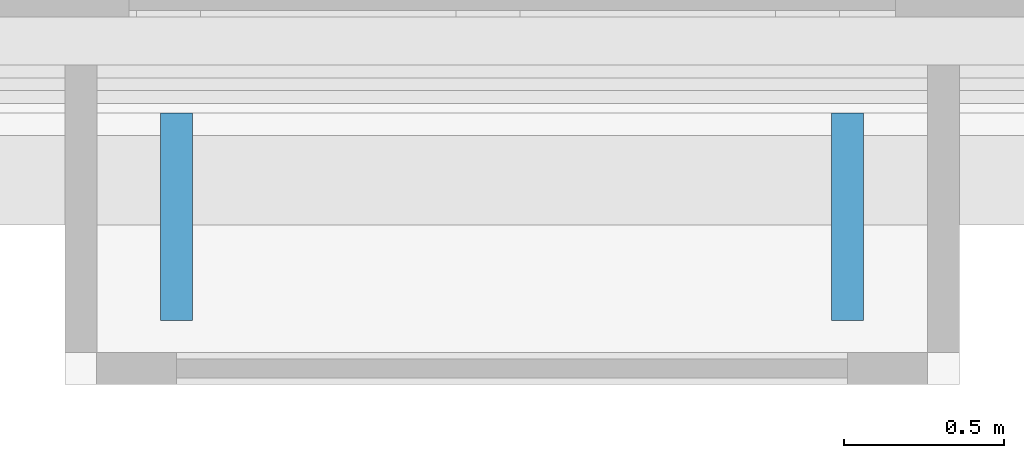
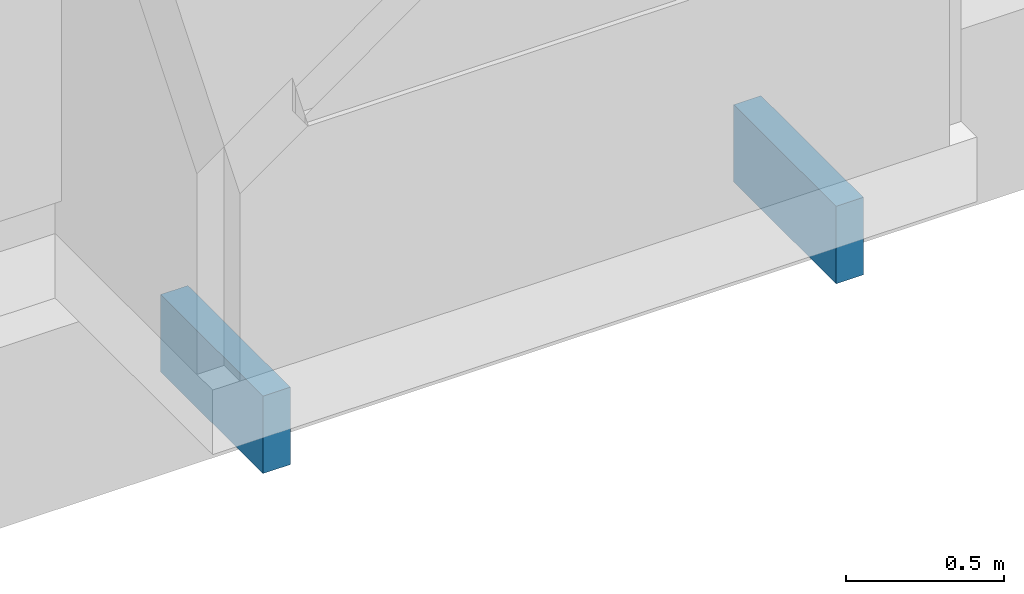
# One storey, part 49 of 70: 2 discrete accessories.
"""IFC4 building model written with IfcOpenShell, lengths in metres."""

from ifc_helpers import new_model, si_unit, direction, frame, origin, origin_2d, place, context, subcontext, project, spatial, rectangle, extrude, element, save


model = new_model("IFC4")

# Units and contexts
model_context = context("Model", 3, precision=1e-05, world=origin(), true_north=direction((0.0, 1.0)))
body_context = subcontext(model_context, "Body", "Model", "MODEL_VIEW")
ifc_project = project(units=[si_unit("LENGTHUNIT", "METRE"), si_unit("AREAUNIT", "SQUARE_METRE"), si_unit("VOLUMEUNIT", "CUBIC_METRE"), si_unit("PLANEANGLEUNIT", "RADIAN"), si_unit("MASSUNIT", "GRAM", prefix="KILO")], contexts=[model_context])

# Site, building, storey
site_placement = place(None, origin())
site = spatial("IfcSite", under=ifc_project, at=site_placement, CompositionType="ELEMENT")
building_placement = place(site_placement, origin())
building = spatial("IfcBuilding", under=site, at=building_placement, Name="Saffron Lane Theatres", CompositionType="ELEMENT")
storey_placement = place(building_placement, frame((0.0, 0.0, 12.0)))
storey = spatial("IfcBuildingStorey", under=building, at=storey_placement, Name="L02", CompositionType="ELEMENT", Elevation=12.0)

# Discrete accessories
for number, where, z_axis, x_axis, name in (
    (1, (10.125, 101.52490234375, -0.5498046875), (0.0, 0.0, 1.0), (-1.0, 0.0, 0.0), "Cumba bracket 3"),
    (2, (8.02490234375, 101.52490234375, -0.5498046875), (0.0, 0.0, 1.0), (-1.0, 0.0, 0.0), "Cumba bracket 3"),
):
    element("IfcDiscreteAccessory", number, at=place(storey_placement, frame(where, z_axis=z_axis, x_axis=x_axis)), inside=storey, Name=name, PredefinedType="BRACKET", context=body_context, shape_type="SweptSolid", body=[
        extrude(rectangle(XDim=0.10009765625, YDim=0.64990234375, at=origin_2d()), origin(), (0.0, 0.0, 1.0), 0.300048828125),
    ])

save(model, "model.ifc")
